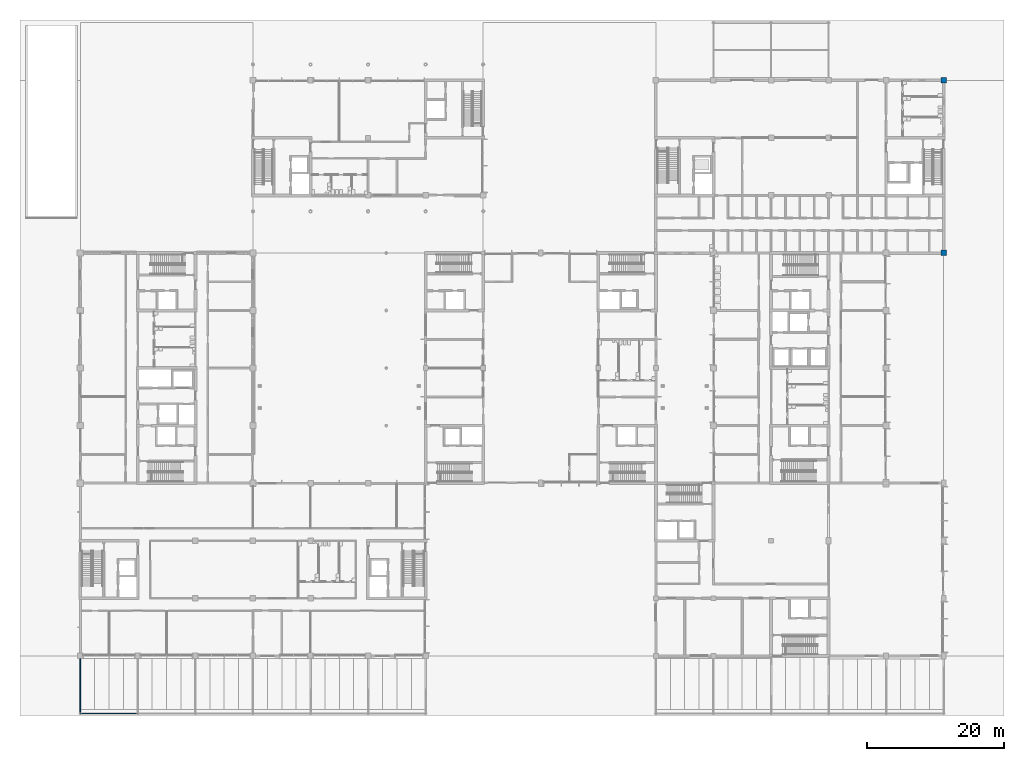
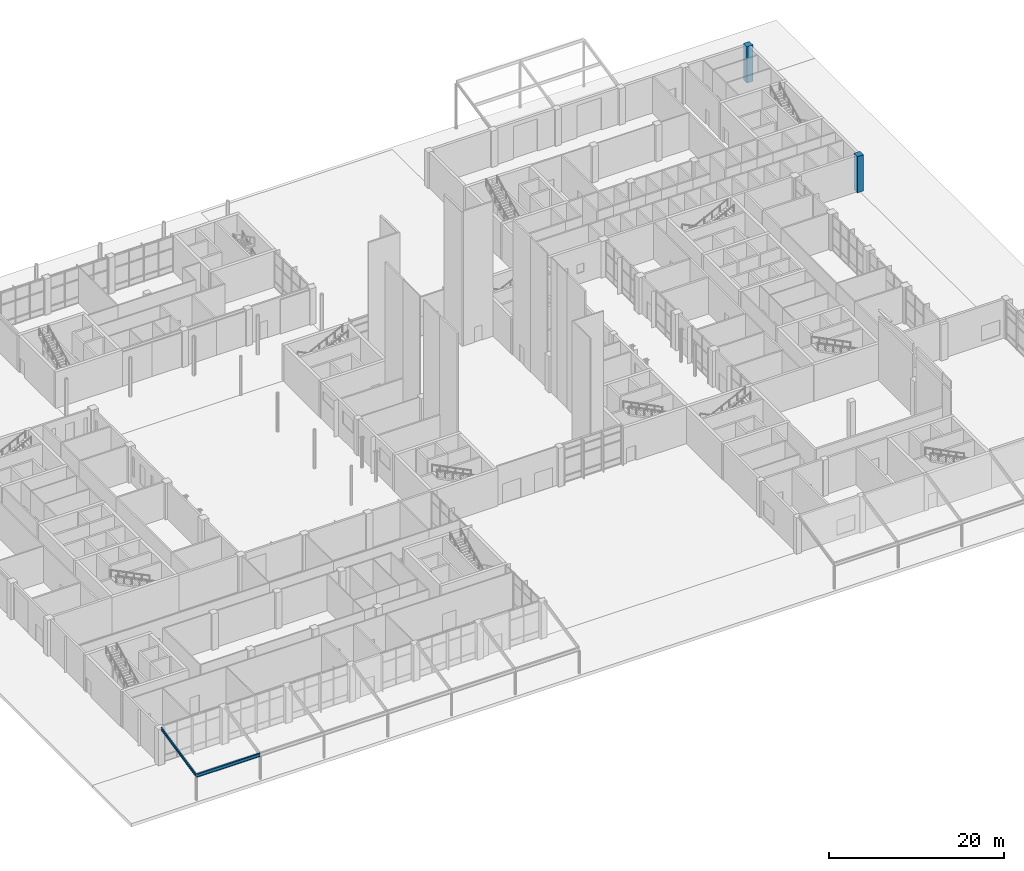
# One storey, part 14 of 76: 2 beams, 2 columns.
"""IFC4 building model written with IfcOpenShell, lengths in metres."""

from ifc_helpers import new_model, si_unit, direction, frame, origin, origin_2d, place, context, subcontext, project, spatial, rectangle, i_section, extrude, material, material_profile, profile_set, type_object, element, save


model = new_model("IFC4")

# Units and contexts
model_context = context("Model", 3, precision=1e-05, world=origin(), true_north=direction((0.0, 1.0)))
body_context = subcontext(model_context, "Body", "Model", "MODEL_VIEW")
ifc_project = project(units=[si_unit("LENGTHUNIT", "METRE"), si_unit("AREAUNIT", "SQUARE_METRE"), si_unit("VOLUMEUNIT", "CUBIC_METRE"), si_unit("PLANEANGLEUNIT", "RADIAN"), si_unit("MASSUNIT", "GRAM", prefix="KILO")], contexts=[model_context])

# Site, building, storey
site_placement = place(None, origin())
site = spatial("IfcSite", under=ifc_project, at=site_placement, CompositionType="ELEMENT")
building_placement = place(site_placement, origin())
building = spatial("IfcBuilding", under=site, at=building_placement, Name="Hlaing Beacon Police Headquarters", CompositionType="ELEMENT")
storey_placement = place(building_placement, origin())
storey = spatial("IfcBuildingStorey", under=building, at=storey_placement, Name="L00", CompositionType="ELEMENT", Elevation=0.0)

# Columns
ifc_material_1 = material(Name="Concrete C50/60", Category="concrete")
ifc_material_profile_1 = material_profile(ifc_material_1, rectangle(XDim=0.800048828125, YDim=0.800048828125, at=origin_2d()), Name="800x800")
ifc_profile_set_1 = profile_set([ifc_material_profile_1], Name="Concrete C50/60")
column_type = type_object("IfcColumnType", Name="RC column 800x800 C50/60", PredefinedType="COLUMN", material=ifc_profile_set_1)
for number, where, z_axis, x_axis, name in (
    (1, (134.39990234375, 67.199951171875, 0.0), (0.0, 0.0, 1.0), (1.0, 0.0, 0.0), "STR-COL-L00-S9"),
    (2, (134.39990234375, 92.39990234375, 0.0), (0.0, 0.0, 1.0), (1.0, 0.0, 0.0), "STR-COL-L00-S12"),
):
    element("IfcColumn", number, at=place(storey_placement, frame(where, z_axis=z_axis, x_axis=x_axis)), inside=storey, type_object=column_type, Name=name, PredefinedType="COLUMN", context=body_context, shape_type="SweptSolid", body=[
        extrude(rectangle(XDim=0.800048828125, YDim=0.800048828125, at=origin_2d()), origin(), (0.0, 0.0, 1.0), 5.050048828125),
    ])

# Beams
ifc_material_2 = material(Name="Steel ASTM A992 Grade 50", Category="steel")
ifc_material_profile_2 = material_profile(ifc_material_2, i_section(OverallWidth=0.1904296875, OverallDepth=0.457275390625, WebThickness=0.009033203125, FlangeThickness=0.014404296875, FilletRadius=0.01025390625, at=origin_2d()), Name="W18x50")
ifc_profile_set_2 = profile_set([ifc_material_profile_2], Name="Steel ASTM A992 Grade 50")
beam_type_1 = type_object("IfcBeamType", Name="Colonnade head beam W18x50", PredefinedType="BEAM", material=ifc_profile_set_2)
beam_1_placement = place(storey_placement, frame((8.39990234375, 0.0, 3.371337890625), z_axis=(1.0, 0.0, 0.0), x_axis=(0.0, 1.0, 0.0)))
element("IfcBeam", 3, at=beam_1_placement, inside=storey, type_object=beam_type_1, Name="STR-CL-CL1-HB01", PredefinedType="BEAM", context=body_context, shape_type="SweptSolid", body=[
    extrude(i_section(OverallWidth=0.1904296875, OverallDepth=0.457275390625, WebThickness=0.009033203125, FlangeThickness=0.014404296875, FilletRadius=0.01025390625, at=origin_2d()), origin(), (0.0, 0.0, 1.0), 8.400146484375),
])
ifc_material_3 = material(Name="Steel ASTM A992 Grade 50", Category="steel")
ifc_material_profile_3 = material_profile(ifc_material_3, i_section(OverallWidth=0.140380859375, OverallDepth=0.40380859375, WebThickness=0.007080078125, FlangeThickness=0.01123046875, FilletRadius=0.01025390625, at=origin_2d()), Name="W16x31")
ifc_profile_set_3 = profile_set([ifc_material_profile_3], Name="Steel ASTM A992 Grade 50")
beam_type_2 = type_object("IfcBeamType", Name="Colonnade rafter W16x31", PredefinedType="BEAM", material=ifc_profile_set_3)
beam_2_placement = place(storey_placement, frame((8.39990234375, 0.09521484375, 3.413818359375), z_axis=(0.0, 0.97779711045, 0.209553837464), x_axis=(-1.0, 0.0, 0.0)))
element("IfcBeam", 4, at=beam_2_placement, inside=storey, type_object=beam_type_2, Name="STR-CL-CL1-RF01", PredefinedType="BEAM", context=body_context, shape_type="SweptSolid", body=[
    extrude(i_section(OverallWidth=0.140380859375, OverallDepth=0.40380859375, WebThickness=0.007080078125, FlangeThickness=0.01123046875, FilletRadius=0.01025390625, at=origin_2d()), origin(), (0.0, 0.0, 1.0), 8.084228515625),
])

save(model, "model.ifc")
